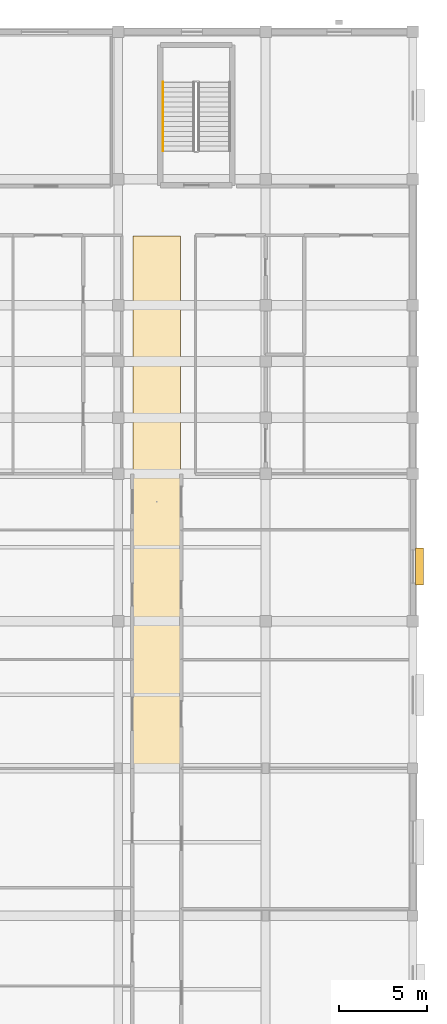
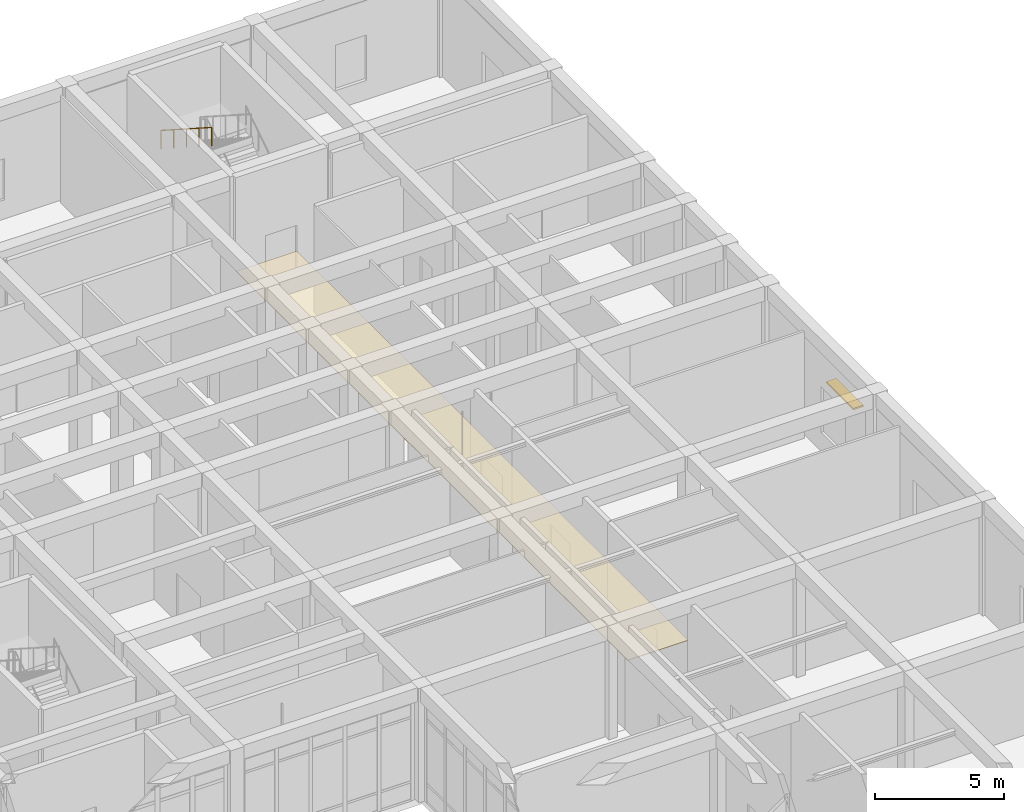
# One storey, part 156 of 157: 1 covering, 1 railing, 1 shading device.
"""IFC4 building model written with IfcOpenShell, lengths in metres."""

from ifc_helpers import new_model, si_unit, direction, frame, origin, origin_2d, place, context, subcontext, project, spatial, polyline, rectangle, circle, outline, extrude, material, layer, layer_set, type_object, element, save


model = new_model("IFC4")

# Units and contexts
model_context = context("Model", 3, precision=1e-05, world=origin(), true_north=direction((0.0, 1.0)))
body_context = subcontext(model_context, "Body", "Model", "MODEL_VIEW")
ifc_project = project(units=[si_unit("LENGTHUNIT", "METRE"), si_unit("AREAUNIT", "SQUARE_METRE"), si_unit("VOLUMEUNIT", "CUBIC_METRE"), si_unit("PLANEANGLEUNIT", "RADIAN"), si_unit("MASSUNIT", "GRAM", prefix="KILO")], contexts=[model_context])

# Site, building, storey
site_placement = place(None, origin())
site = spatial("IfcSite", under=ifc_project, at=site_placement, CompositionType="ELEMENT")
building_placement = place(site_placement, origin())
building = spatial("IfcBuilding", under=site, at=building_placement, Name="Varncliffe General Hospital", CompositionType="ELEMENT")
storey_placement = place(building_placement, frame((0.0, 0.0, 5.39990234375)))
storey = spatial("IfcBuildingStorey", under=building, at=storey_placement, Name="L01", CompositionType="ELEMENT", Elevation=5.39990234375)

# Covering
ifc_material_1 = material(Name="Hygienic antimicrobial acoustic suspended ceiling tile", Category="gypsum")
ifc_layer_1 = layer(ifc_material_1, 0.02490234375)
ifc_layer_set_1 = layer_set([ifc_layer_1], Name="Hygienic antimicrobial acoustic suspended ceiling tile")
covering_type = type_object("IfcCoveringType", Name="Antimicrobial Acoustic Suspended Ceiling CLG44", PredefinedType="CEILING", material=ifc_layer_set_1)
covering_placement = place(storey_placement, frame((0.0, 0.0, 3.175048828125)))
element("IfcCovering", 1, at=covering_placement, inside=storey, type_object=covering_type, Name="L01 East Link Corridor L01 Suspended Ceiling", PredefinedType="CEILING", context=body_context, shape_type="SweptSolid", body=[
    extrude(outline(polyline([(163.159912109375, 82.840087890625), (163.159912109375, 113.159912109375), (160.43994140625, 113.159912109375), (160.43994140625, 82.840087890625), (163.159912109375, 82.840087890625)])), origin(), (0.0, 0.0, 1.0), 0.025146484375),
])

# Shading device
ifc_material_2 = material(Name="Dark bronze extruded aluminium solar jalousie louvres", Category="aluminium")
ifc_layer_2 = layer(ifc_material_2, 0.080078125)
ifc_layer_set_2 = layer_set([ifc_layer_2], Name="Dark bronze extruded aluminium solar jalousie louvres")
shading_device_type = type_object("IfcShadingDeviceType", Name="Bronze Solar Jalousie Louvre Hood SHD18", PredefinedType="JALOUSIE", material=ifc_layer_set_2)
shading_device_placement = place(storey_placement, frame((176.77001953125, 94.31005859375, 3.06005859375), z_axis=(0.0, 0.0, 1.0), x_axis=(0.0, -1.0, 0.0)))
element("IfcShadingDevice", 2, at=shading_device_placement, inside=storey, type_object=shading_device_type, Name="L01 Bronze Window Sun-Shading Louvre 30", PredefinedType="JALOUSIE", context=body_context, shape_type="SweptSolid", body=[
    extrude(rectangle(XDim=2.10009765625, YDim=0.449951171875, at=origin_2d()), origin(), (0.0, 0.0, 1.0), 0.080078125),
])

# Railing
ifc_material_3 = material(Name="Powder-coated hospital steel guardrail and handrail", Category="steel")
railing_type = type_object("IfcRailingType", Name="Stair and Ramp Handrail HR46", PredefinedType="HANDRAIL", material=ifc_material_3)
railing_placement = place(storey_placement, frame((162.14990234375, 121.919921875, 3.064208984375)))
element("IfcRailing", 3, at=railing_placement, inside=storey, type_object=railing_type, Name="L01 ST04 stair handrail 2", PredefinedType="HANDRAIL", context=body_context, shape_type="SweptSolid", body=[
    extrude(circle(Radius=0.02392578125, at=origin_2d()), frame((0.0, 0.0, 0.8759765625), z_axis=(0.0, -0.84119549742, 0.540731111663), x_axis=(1.0, 0.0, 0.0)), (0.0, 0.0, 1.0), 4.659912109375),
    extrude(circle(Radius=0.02099609375, at=origin_2d()), origin(), (0.0, 0.0, 1.0), 0.851806640625),
    extrude(circle(Radius=0.02099609375, at=origin_2d()), frame((0.0, -0.97998046875, 0.6298828125)), (0.0, 0.0, 1.0), 0.851806640625),
    extrude(circle(Radius=0.02099609375, at=origin_2d()), frame((0.0, -1.9599609375, 1.259765625)), (0.0, 0.0, 1.0), 0.851806640625),
    extrude(circle(Radius=0.02099609375, at=origin_2d()), frame((0.0, -2.93994140625, 1.889892578125)), (0.0, 0.0, 1.0), 0.851806640625),
    extrude(circle(Radius=0.02099609375, at=origin_2d()), frame((0.0, -3.919921875, 2.519775390625)), (0.0, 0.0, 1.0), 0.851806640625),
])

save(model, "model.ifc")
